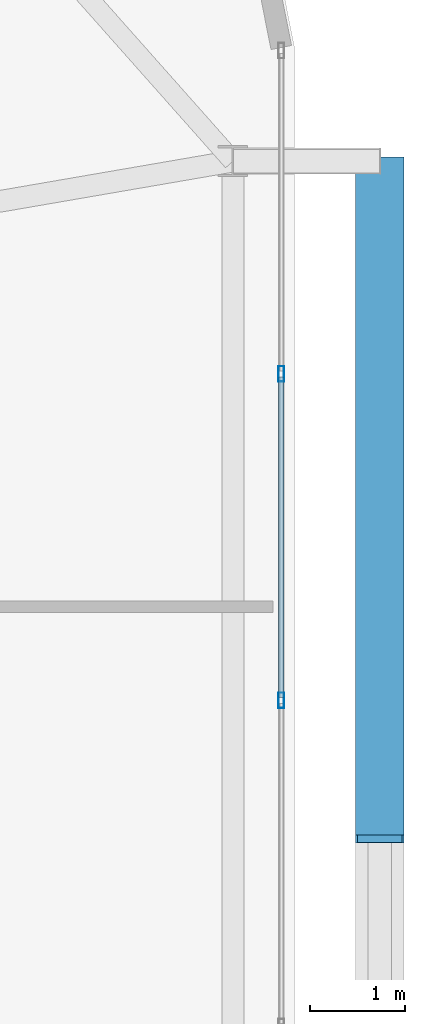
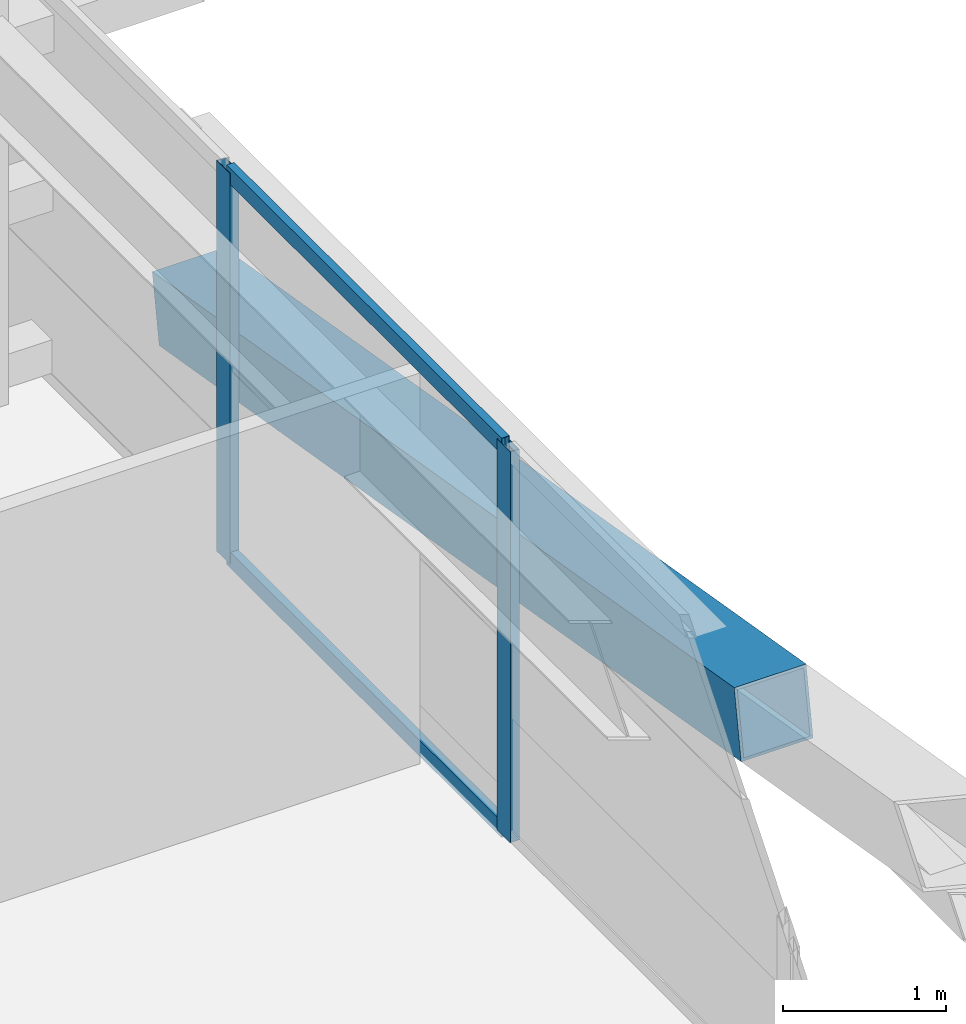
# One storey, part 32 of 59: 5 members, 1 element without a shape of its own.
"""IFC4 building model written with IfcOpenShell, lengths in metres."""

from ifc_helpers import new_model, si_unit, direction, frame, origin, origin_2d, place, context, subcontext, project, spatial, hollow_rectangle, extrude, source, transform, mapped, material, layer, layer_set, material_profile, profile_set, type_object, element, aggregate, save


model = new_model("IFC4")

# Units and contexts
model_context = context("Model", 3, precision=1e-05, world=origin(), true_north=direction((0.0, 1.0)))
body_context = subcontext(model_context, "Body", "Model", "MODEL_VIEW")
ifc_project = project(units=[si_unit("LENGTHUNIT", "METRE"), si_unit("AREAUNIT", "SQUARE_METRE"), si_unit("VOLUMEUNIT", "CUBIC_METRE"), si_unit("PLANEANGLEUNIT", "RADIAN"), si_unit("MASSUNIT", "GRAM", prefix="KILO")], contexts=[model_context])

# Site, building, storey
site_placement = place(None, origin())
site = spatial("IfcSite", under=ifc_project, at=site_placement, CompositionType="ELEMENT")
building_placement = place(site_placement, origin())
building = spatial("IfcBuilding", under=site, at=building_placement, Name="Taldren Reach Tower", CompositionType="ELEMENT")
storey_placement = place(building_placement, frame((0.0, 0.0, 48.300048828125)))
storey = spatial("IfcBuildingStorey", under=building, at=storey_placement, Name="L14", CompositionType="ELEMENT", Elevation=48.300048828125)

# Member
ifc_material_1 = material(Name="Steel Gr 450 (C450L0)", Category="steel")
ifc_material_profile_1 = material_profile(ifc_material_1, hollow_rectangle(XDim=0.510009765625, YDim=0.510009765625, WallThickness=0.02001953125, at=origin_2d()), Name="510x510x20.0SHS")
ifc_profile_set_1 = profile_set([ifc_material_profile_1], Name="Steel Gr 450 (C450L0)")
member_type_1 = type_object("IfcMemberType", Name="MB-EXO508", PredefinedType="BRACE", material=ifc_profile_set_1)
shared_shape_1 = source(origin(), body_context, "Body", "SweptSolid", [
    extrude(hollow_rectangle(XDim=0.510009765625, YDim=0.510009765625, WallThickness=0.02001953125, at=origin_2d()), origin(), (0.0, 0.0, 1.0), 7.252685546875),
])
member_1_placement = place(storey_placement, frame((65.89990234375, 34.300048828125, 0.219970703125), z_axis=(0.0, -0.985865800628, 0.167536930711), x_axis=(1.0, 0.0, 0.0)))
element("IfcMember", 1, at=member_1_placement, inside=storey, type_object=member_type_1, Name="Exoskeleton Diagrid Brace B1-E2 L14", PredefinedType="BRACE", context=body_context, shape_type="MappedRepresentation", body=[
    mapped(shared_shape_1, transform((0.0, 0.0, 0.0), scale=1.0)),
])

# Curtain wall, members
ifc_material_2 = material(Name="Aluminium and Low-E Glass Unitised System", Category="aluminium")
ifc_layer = layer(ifc_material_2, 0.159912109375)
ifc_layer_set = layer_set([ifc_layer], Name="Aluminium and Low-E Glass Unitised System")
curtain_wall_type = type_object("IfcCurtainWallType", Name="CW-SYS-2", PredefinedType="NOTDEFINED", material=ifc_layer_set)
curtain_wall_placement = place(storey_placement, origin())
curtain_wall = element("IfcCurtainWall", 2, at=curtain_wall_placement, inside=storey, type_object=curtain_wall_type, Name="Unitised curtain wall CW-L14-E", PredefinedType="NOTDEFINED")
ifc_material_3 = material(Name="Anodised Aluminium 6063-T6", Category="aluminium")
ifc_material_profile_2 = material_profile(ifc_material_3, hollow_rectangle(XDim=0.06494140625, YDim=0.1650390625, WallThickness=0.00390625, at=origin_2d()), Name="ALU-165x65x4RHS")
ifc_profile_set_2 = profile_set([ifc_material_profile_2], Name="Anodised Aluminium 6063-T6")
member_type_2 = type_object("IfcMemberType", Name="CW-MUL-165", PredefinedType="MULLION", material=ifc_profile_set_2)
shared_shape_2 = source(origin(), body_context, "Body", "SweptSolid", [
    extrude(hollow_rectangle(XDim=0.06494140625, YDim=0.1650390625, WallThickness=0.00390625, at=origin_2d()), origin(), (0.0, 0.0, 1.0), 2.929931640625),
])
member_2_placement = place(storey_placement, frame((64.860107421875, 28.611083984375, 0.0), z_axis=(0.0, 0.0, 1.0), x_axis=(-1.0, 0.0, 0.0)))
member_2 = element("IfcMember", 3, at=member_2_placement, type_object=member_type_2, Name="CW-2 mullion 8", PredefinedType="MULLION", context=body_context, shape_type="MappedRepresentation", body=[
    mapped(shared_shape_2, transform((0.0, 0.0, 0.0), scale=1.0)),
])
member_3_placement = place(storey_placement, frame((64.860107421875, 32.0556640625, 0.0), z_axis=(0.0, 0.0, 1.0), x_axis=(-1.0, 0.0, 0.0)))
member_3 = element("IfcMember", 4, at=member_3_placement, type_object=member_type_2, Name="CW-2 mullion 9", PredefinedType="MULLION", context=body_context, shape_type="MappedRepresentation", body=[
    mapped(shared_shape_2, transform((0.0, 0.0, 0.0), scale=1.0)),
])
ifc_material_profile_3 = material_profile(ifc_material_3, hollow_rectangle(XDim=0.054931640625, YDim=0.1201171875, WallThickness=0.0029296875, at=origin_2d()), Name="ALU-120x55x3RHS")
ifc_profile_set_3 = profile_set([ifc_material_profile_3], Name="Anodised Aluminium 6063-T6")
member_type_3 = type_object("IfcMemberType", Name="CW-TRN-135", PredefinedType="USERDEFINED", material=ifc_profile_set_3)
shared_shape_3 = source(origin(), body_context, "Body", "SweptSolid", [
    extrude(hollow_rectangle(XDim=0.054931640625, YDim=0.1201171875, WallThickness=0.0029296875, at=origin_2d()), origin(), (0.0, 0.0, 1.0), 3.37939453125),
])
member_4_placement = place(storey_placement, frame((64.860107421875, 28.6435546875, 0.02734375), z_axis=(0.0, 1.0, 0.0), x_axis=(-1.0, 0.0, 0.0)))
member_4 = element("IfcMember", 5, at=member_4_placement, type_object=member_type_3, Name="CW-2 transom 8.1", ObjectType="TRANSOM", PredefinedType="USERDEFINED", context=body_context, shape_type="MappedRepresentation", body=[
    mapped(shared_shape_3, transform((0.0, 0.0, 0.0), scale=1.0)),
])
member_5_placement = place(storey_placement, frame((64.860107421875, 28.6435546875, 2.90234375), z_axis=(0.0, 1.0, 0.0), x_axis=(-1.0, 0.0, 0.0)))
member_5 = element("IfcMember", 6, at=member_5_placement, type_object=member_type_3, Name="CW-2 transom 8.2", ObjectType="TRANSOM", PredefinedType="USERDEFINED", context=body_context, shape_type="MappedRepresentation", body=[
    mapped(shared_shape_3, transform((0.0, 0.0, 0.0), scale=1.0)),
])
aggregate(curtain_wall, [member_2, member_3, member_4, member_5])

save(model, "model.ifc")
